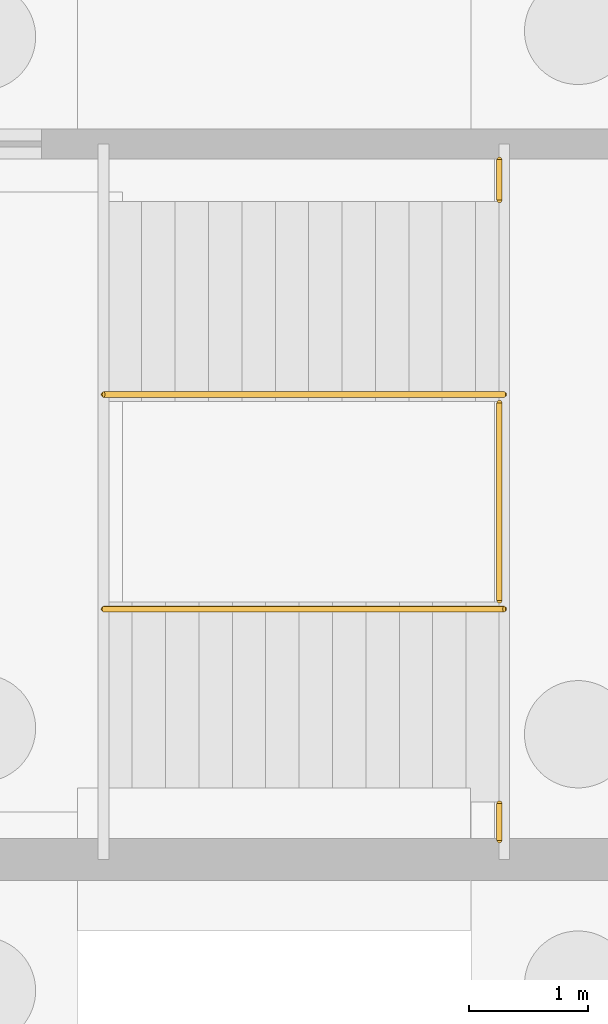
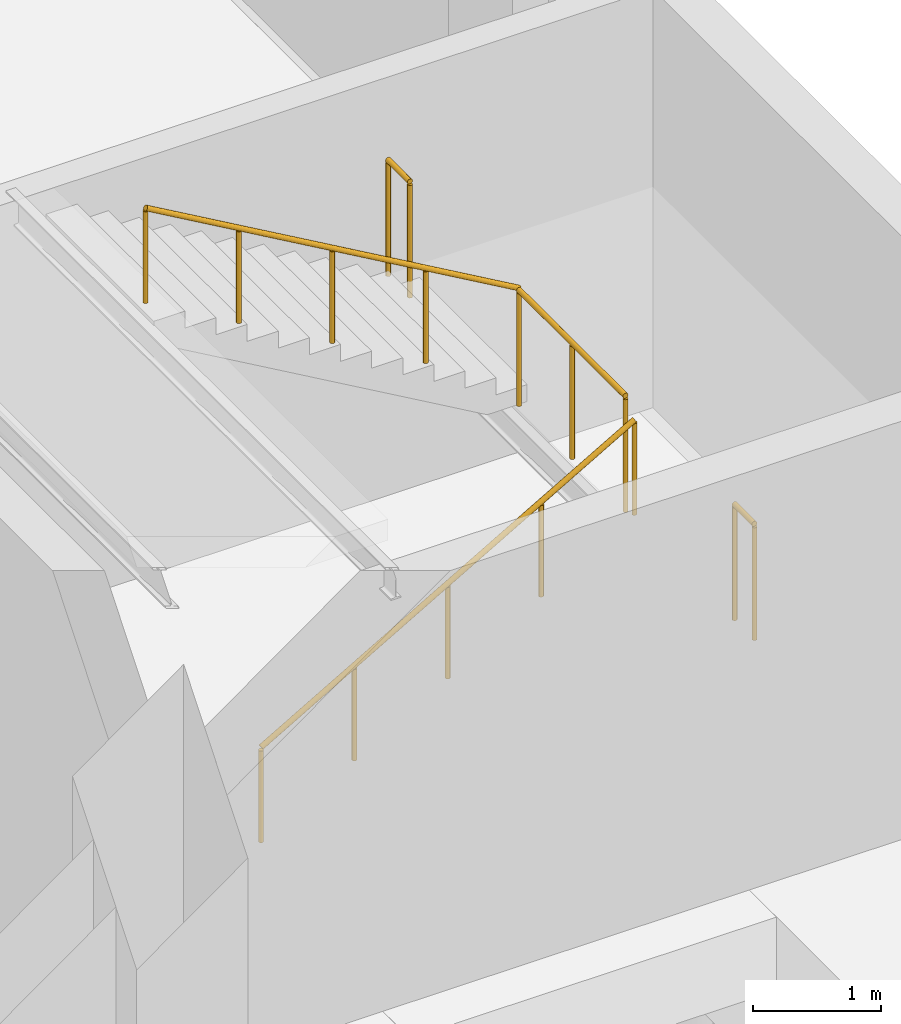
# One storey, part 28 of 32: 5 railings, 1 element without a shape of its own.
"""IFC4 building model written with IfcOpenShell, lengths in metres."""

import ifcopenshell
import ifcopenshell.guid

model = None  # the IFC model being written
_history = None  # IfcOwnerHistory: only IFC2X3 demands one
_inside = {}  # id of a spatial element -> (the spatial element, [elements in it])
_under = {}  # id of a project, library or spatial element -> (it, [spatial elements below it])
_declared = {}  # id of a project -> (the project, [libraries it declares])
_typed = {}  # id of a type object -> (the type object, [elements of that type])
_made_of = {}  # id of a material, layer set ... -> (it, [elements and type objects made of it])


def new_model(schema):
    """Start an empty IFC model of exactly this schema.

    Asked for "IFC4X3", IfcOpenShell would pick the latest addendum, in which some entities
    have other attributes; the version numbers below select the first issue.
    IFC2X3 requires an IfcOwnerHistory on every rooted entity: one is made here for all.
    """
    global model, _history
    if schema == "IFC4X3":
        model = ifcopenshell.file(schema_version=(4, 3, 0, 0))
    else:
        model = ifcopenshell.file(schema=schema)
    _inside.clear()
    _under.clear()
    _declared.clear()
    _typed.clear()
    _made_of.clear()
    _history = None
    if model.schema == "IFC2X3":
        org = make("IfcOrganization", Name="unknown")
        user = make(
            "IfcPersonAndOrganization",
            ThePerson=make("IfcPerson", FamilyName="unknown"),
            TheOrganization=org,
        )
        app = make(
            "IfcApplication",
            ApplicationDeveloper=org,
            Version="unknown",
            ApplicationFullName="unknown",
            ApplicationIdentifier="unknown",
        )
        _history = make(
            "IfcOwnerHistory",
            OwningUser=user,
            OwningApplication=app,
            ChangeAction="ADDED",
            CreationDate=0,
        )
    return model


def make(cls, **values):
    """One entity of the class cls with the attributes given. An attribute that is None is left unset."""
    return model.create_entity(
        cls, **{name: value for name, value in values.items() if value is not None}
    )


def rooted(cls, **values):
    """An entity with a GlobalId (a new one), such as an element, a storey or a relation."""
    return make(cls, GlobalId=ifcopenshell.guid.new(), OwnerHistory=_history, **values)


def si_unit(unit_type, name, prefix=None):
    """IfcSIUnit, for example si_unit("LENGTHUNIT", "METRE", prefix="MILLI")."""
    return make("IfcSIUnit", UnitType=unit_type, Prefix=prefix, Name=name)


def assignment(units):
    """IfcUnitAssignment: the units of a project."""
    return None if units is None else make("IfcUnitAssignment", Units=units)


def point(xyz):
    """IfcCartesianPoint."""
    return None if xyz is None else make("IfcCartesianPoint", Coordinates=xyz)


def direction(xyz):
    """IfcDirection."""
    return None if xyz is None else make("IfcDirection", DirectionRatios=xyz)


def frame(location, z_axis=None, x_axis=None):
    """IfcAxis2Placement3D, a coordinate frame: its origin and axes. An axis left out is left unset."""
    return make(
        "IfcAxis2Placement3D",
        Location=point(location),
        Axis=direction(z_axis),
        RefDirection=direction(x_axis),
    )


def frame_2d(location, x_axis=None):
    """IfcAxis2Placement2D, a coordinate frame in the plane: its origin and x axis."""
    return make(
        "IfcAxis2Placement2D", Location=point(location), RefDirection=direction(x_axis)
    )


def origin():
    """The frame at (0, 0, 0) with its axes left unset."""
    return frame((0.0, 0.0, 0.0))


def origin_2d():
    """The frame at (0, 0) in the plane with its x axis left unset."""
    return frame_2d((0.0, 0.0))


def place(relative_to, where):
    """IfcLocalPlacement: puts the frame where relative to a parent placement (None: the world)."""
    return make(
        "IfcLocalPlacement", PlacementRelTo=relative_to, RelativePlacement=where
    )


def context(
    kind, dimensions, precision=None, world=None, true_north=None, identifier=None
):
    """IfcGeometricRepresentationContext, for example the 3D "Model" context."""
    return make(
        "IfcGeometricRepresentationContext",
        ContextIdentifier=identifier,
        ContextType=kind,
        CoordinateSpaceDimension=dimensions,
        Precision=precision,
        WorldCoordinateSystem=world,
        TrueNorth=true_north,
    )


def subcontext(parent, identifier, kind, view, scale=None):
    """IfcGeometricRepresentationSubContext, for example "Body" below "Model"."""
    return make(
        "IfcGeometricRepresentationSubContext",
        ContextIdentifier=identifier,
        ContextType=kind,
        ParentContext=parent,
        TargetScale=scale,
        TargetView=view,
    )


def project(units=None, contexts=None):
    """IfcProject with its units and contexts."""
    return rooted(
        "IfcProject",
        Name="project",
        RepresentationContexts=contexts,
        UnitsInContext=assignment(units),
    )


def spatial(cls, under=None, at=None, **own):
    """A site, building, storey or space (cls), placed at a placement, below another one or the project."""
    s = rooted(cls, ObjectPlacement=at, **own)
    if under is not None:
        _under.setdefault(under.id(), (under, []))[1].append(s)
    return s


def profile(cls, at=None, kind="AREA", **sizes):
    """A parametric profile (cls). Its sizes go by their IFC names, for example OverallWidth=200.0."""
    return make(cls, ProfileType=kind, Position=at, **sizes)


def circle(**sizes):
    """IfcCircleProfileDef."""
    return profile("IfcCircleProfileDef", **sizes)


def extrude(swept, where, along, depth):
    """IfcExtrudedAreaSolid: the profile swept, set in the frame where, extruded along a direction by depth."""
    return make(
        "IfcExtrudedAreaSolid",
        SweptArea=swept,
        Position=where,
        ExtrudedDirection=direction(along),
        Depth=depth,
    )


def shape(context_of_items, identifier, shape_type, items):
    """IfcShapeRepresentation: the items that make up one representation, for example the "Body"."""
    return make(
        "IfcShapeRepresentation",
        ContextOfItems=context_of_items,
        RepresentationIdentifier=identifier,
        RepresentationType=shape_type,
        Items=items,
    )


def material(Name=None, Category=None):
    """IfcMaterial."""
    return make("IfcMaterial", Name=Name, Category=Category)


def layer(
    of_material, thickness, ventilated=None, Name=None, Category=None, Priority=None
):
    """IfcMaterialLayer: one layer of a wall or slab, of a material (None: an air gap)."""
    return make(
        "IfcMaterialLayer",
        Material=of_material,
        LayerThickness=thickness,
        IsVentilated=ventilated,
        Name=Name,
        Category=Category,
        Priority=Priority,
    )


def layer_set(layers, Name=None):
    """IfcMaterialLayerSet."""
    return make("IfcMaterialLayerSet", MaterialLayers=layers, LayerSetName=Name)


def made_of(thing, what):
    """Note that an element or type object is made of a material, layer set ...; save() writes the relation."""
    if what is not None:
        _made_of.setdefault(what.id(), (what, []))[1].append(thing)
    return thing


def type_object(cls, material=None, **own):
    """A type object (cls), such as IfcWallType, which elements share."""
    return made_of(rooted(cls, **own), material)


def element(
    cls,
    number,
    at=None,
    inside=None,
    cuts=None,
    type_object=None,
    material=None,
    context=None,
    identifier="Body",
    shape_type=None,
    held_by="IfcProductDefinitionShape",
    body=None,
    shapes=None,
    **own,
):
    """One element of the class cls, such as IfcWall. Its Tag is "e" and its number.

    at: its placement. inside: the storey or other place that contains it. cuts: it is an
    opening in that element (IfcRelVoidsElement). A single representation is given by context,
    identifier, shape_type and body (its items); several are given by shapes. held_by: the class
    of the entity that holds the representations. save() writes the other relations.
    """
    e = rooted(cls, Tag="e%d" % number, ObjectPlacement=at, **own)
    if body is not None:
        shapes = [shape(context, identifier, shape_type, body)]
    if shapes is not None:
        e.Representation = make(held_by, Representations=shapes)
    if inside is not None:
        _inside.setdefault(inside.id(), (inside, []))[1].append(e)
    if cuts is not None:
        rooted(
            "IfcRelVoidsElement", RelatingBuildingElement=cuts, RelatedOpeningElement=e
        )
    if type_object is not None:
        _typed.setdefault(type_object.id(), (type_object, []))[1].append(e)
    return made_of(e, material)


def aggregate(whole, parts):
    """IfcRelAggregates: a whole, such as a stair, and the parts it consists of."""
    return rooted("IfcRelAggregates", RelatingObject=whole, RelatedObjects=parts)


def save(model, path):
    """Write the relations noted so far, then the file.

    IfcRelAggregates (storeys below a building ...), IfcRelContainedInSpatialStructure (elements
    in a storey), IfcRelDefinesByType, IfcRelAssociatesMaterial and IfcRelDeclares: one each for
    every whole, place, type object, material and project.
    """
    for whole, parts in _under.values():
        aggregate(whole, parts)
    for where, things in _inside.values():
        rooted(
            "IfcRelContainedInSpatialStructure",
            RelatedElements=things,
            RelatingStructure=where,
        )
    for kind, things in _typed.values():
        rooted("IfcRelDefinesByType", RelatedObjects=things, RelatingType=kind)
    for what, things in _made_of.values():
        rooted("IfcRelAssociatesMaterial", RelatedObjects=things, RelatingMaterial=what)
    for by, libraries in _declared.values():
        rooted("IfcRelDeclares", RelatingContext=by, RelatedDefinitions=libraries)
    model.write(path)


model = new_model("IFC4")

# Units and contexts
model_context = context("Model", 3, precision=1e-05, world=origin(), true_north=direction((0.0, 1.0)))
body_context = subcontext(model_context, "Body", "Model", "MODEL_VIEW")
ifc_project = project(units=[si_unit("LENGTHUNIT", "METRE"), si_unit("AREAUNIT", "SQUARE_METRE"), si_unit("VOLUMEUNIT", "CUBIC_METRE"), si_unit("PLANEANGLEUNIT", "RADIAN"), si_unit("MASSUNIT", "GRAM", prefix="KILO")], contexts=[model_context])

# Site, building, storey
site_placement = place(None, origin())
site = spatial("IfcSite", under=ifc_project, at=site_placement, CompositionType="ELEMENT")
building_placement = place(site_placement, origin())
building = spatial("IfcBuilding", under=site, at=building_placement, Name="Tenunan Teduh Sports Hall", CompositionType="ELEMENT")
storey_placement = place(building_placement, frame((0.0, 0.0, -4.199951171875)))
storey = spatial("IfcBuildingStorey", under=building, at=storey_placement, Name="B1", CompositionType="ELEMENT", Elevation=-4.199951171875)

# Railings
ifc_material_1 = material(Name="Galvanised and powder-coated steel", Category="steel")
ifc_layer_1 = layer(ifc_material_1, 0.070068359375)
ifc_layer_set_1 = layer_set([ifc_layer_1], Name="Galvanised and powder-coated steel")
railing_type_1 = type_object("IfcRailingType", Name="RLG-EXT-GRD", PredefinedType="GUARDRAIL", material=ifc_layer_set_1)
railing_1_placement = place(storey_placement, frame((75.43994140625, 56.169921875, 2.099853515625)))
element("IfcRailing", 1, at=railing_1_placement, inside=storey, type_object=railing_type_1, Name="RLG-STW-MID-C1-B1", PredefinedType="GUARDRAIL", context=body_context, shape_type="SweptSolid", body=[
    extrude(circle(Radius=0.02392578125, at=origin_2d()), frame((0.0, 0.0, 1.09619140625), z_axis=(0.0, 1.0, 0.0), x_axis=(-1.0, 0.0, 0.0)), (0.0, 0.0, 1.0), 1.66015625),
    extrude(circle(Radius=0.02099609375, at=origin_2d()), origin(), (0.0, 0.0, 1.0), 1.072021484375),
    extrude(circle(Radius=0.02099609375, at=origin_2d()), frame((0.0, 0.830078125, 0.0)), (0.0, 0.0, 1.0), 1.072021484375),
    extrude(circle(Radius=0.02099609375, at=origin_2d()), frame((0.0, 1.66015625, 0.0)), (0.0, 0.0, 1.0), 1.072021484375),
])
railing_2_placement = place(storey_placement, frame((75.43994140625, 54.159912109375, 2.099853515625)))
element("IfcRailing", 2, at=railing_2_placement, inside=storey, type_object=railing_type_1, Name="RLG-STW-MIDS-C1-B1", PredefinedType="GUARDRAIL", context=body_context, shape_type="SweptSolid", body=[
    extrude(circle(Radius=0.02392578125, at=origin_2d()), frame((0.0, 0.0, 1.09619140625), z_axis=(0.0, 1.0, 0.0), x_axis=(-1.0, 0.0, 0.0)), (0.0, 0.0, 1.0), 0.31005859375),
    extrude(circle(Radius=0.02099609375, at=origin_2d()), origin(), (0.0, 0.0, 1.0), 1.072021484375),
    extrude(circle(Radius=0.02099609375, at=origin_2d()), frame((0.0, 0.31005859375, 0.0)), (0.0, 0.0, 1.0), 1.072021484375),
])
railing_3_placement = place(storey_placement, frame((75.43994140625, 59.530029296875, 2.099853515625)))
element("IfcRailing", 3, at=railing_3_placement, inside=storey, type_object=railing_type_1, Name="RLG-STW-MIDN-C1-B1", PredefinedType="GUARDRAIL", context=body_context, shape_type="SweptSolid", body=[
    extrude(circle(Radius=0.02392578125, at=origin_2d()), frame((0.0, 0.0, 1.09619140625), z_axis=(0.0, 1.0, 0.0), x_axis=(-1.0, 0.0, 0.0)), (0.0, 0.0, 1.0), 0.340087890625),
    extrude(circle(Radius=0.02099609375, at=origin_2d()), origin(), (0.0, 0.0, 1.0), 1.072021484375),
    extrude(circle(Radius=0.02099609375, at=origin_2d()), frame((0.0, 0.340087890625, 0.0)), (0.0, 0.0, 1.0), 1.072021484375),
])

# Stair, railings
ifc_material_2 = material(Name="Precast concrete C40/50", Category="concrete")
stair_type = type_object("IfcStairType", Name="STR-B1-ESC", PredefinedType="HALF_TURN_STAIR", material=ifc_material_2)
stair_placement = place(storey_placement, origin())
stair = element("IfcStair", 4, at=stair_placement, inside=storey, type_object=stair_type, Name="STR-C1-B1", PredefinedType="HALF_TURN_STAIR")
ifc_material_3 = material(Name="Brushed stainless steel", Category="steel")
ifc_layer_2 = layer(ifc_material_3, 0.050048828125)
ifc_layer_set_2 = layer_set([ifc_layer_2], Name="Brushed stainless steel")
railing_type_2 = type_object("IfcRailingType", Name="RLG-STAIR-HR", PredefinedType="HANDRAIL", material=ifc_layer_set_2)
railing_4_placement = place(storey_placement, frame((72.1201171875, 56.10009765625, 0.161376953125)))
railing_4 = element("IfcRailing", 5, at=railing_4_placement, type_object=railing_type_2, Name="STR-C1-B1-HR1", PredefinedType="HANDRAIL", context=body_context, shape_type="SweptSolid", body=[
    extrude(circle(Radius=0.02392578125, at=origin_2d()), frame((0.0, 0.0, 0.89599609375), z_axis=(0.866175107563, 0.0, 0.499740615757), x_axis=(0.0, 1.0, 0.0)), (0.0, 0.0, 1.0), 3.87890625),
    extrude(circle(Radius=0.02099609375, at=origin_2d()), origin(), (0.0, 0.0, 1.0), 0.871826171875),
    extrude(circle(Radius=0.02099609375, at=origin_2d()), frame((0.83984375, 0.0, 0.484619140625)), (0.0, 0.0, 1.0), 0.871826171875),
    extrude(circle(Radius=0.02099609375, at=origin_2d()), frame((1.679931640625, 0.0, 0.96923828125)), (0.0, 0.0, 1.0), 0.871826171875),
    extrude(circle(Radius=0.02099609375, at=origin_2d()), frame((2.52001953125, 0.0, 1.453857421875)), (0.0, 0.0, 1.0), 0.871826171875),
    extrude(circle(Radius=0.02099609375, at=origin_2d()), frame((3.35986328125, 0.0, 1.9384765625)), (0.0, 0.0, 1.0), 0.871826171875),
])
railing_5_placement = place(storey_placement, frame((75.47998046875, 57.89990234375, 2.261474609375)))
railing_5 = element("IfcRailing", 6, at=railing_5_placement, type_object=railing_type_2, Name="STR-C1-B1-HR2", PredefinedType="HANDRAIL", context=body_context, shape_type="SweptSolid", body=[
    extrude(circle(Radius=0.02392578125, at=origin_2d()), frame((0.0, 0.0, 0.89599609375), z_axis=(-0.866175107563, 0.0, 0.499740615757), x_axis=(0.0, -1.0, 0.0)), (0.0, 0.0, 1.0), 3.87890625),
    extrude(circle(Radius=0.02099609375, at=origin_2d()), origin(), (0.0, 0.0, 1.0), 0.871826171875),
    extrude(circle(Radius=0.02099609375, at=origin_2d()), frame((-0.83984375, 0.0, 0.484619140625)), (0.0, 0.0, 1.0), 0.871826171875),
    extrude(circle(Radius=0.02099609375, at=origin_2d()), frame((-1.679931640625, 0.0, 0.96923828125)), (0.0, 0.0, 1.0), 0.871826171875),
    extrude(circle(Radius=0.02099609375, at=origin_2d()), frame((-2.52001953125, 0.0, 1.453857421875)), (0.0, 0.0, 1.0), 0.871826171875),
    extrude(circle(Radius=0.02099609375, at=origin_2d()), frame((-3.35986328125, 0.0, 1.9384765625)), (0.0, 0.0, 1.0), 0.871826171875),
])
aggregate(stair, [railing_4, railing_5])

save(model, "model.ifc")
